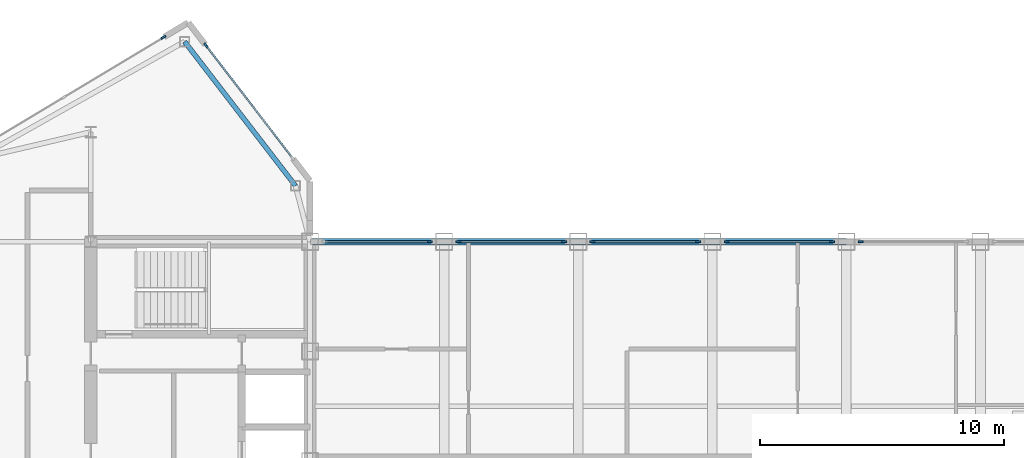
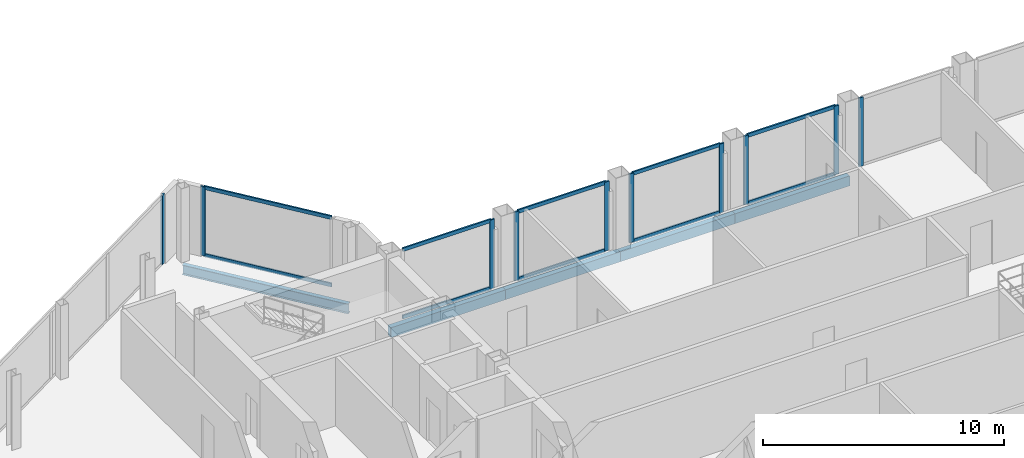
# One storey, part 12 of 28: 20 members, 5 beams, 7 elements without a shape of their own.
"""IFC4 building model written with IfcOpenShell, lengths in metres."""

import ifcopenshell
import ifcopenshell.guid

model = None  # the IFC model being written
_history = None  # IfcOwnerHistory: only IFC2X3 demands one
_inside = {}  # id of a spatial element -> (the spatial element, [elements in it])
_under = {}  # id of a project, library or spatial element -> (it, [spatial elements below it])
_declared = {}  # id of a project -> (the project, [libraries it declares])
_typed = {}  # id of a type object -> (the type object, [elements of that type])
_made_of = {}  # id of a material, layer set ... -> (it, [elements and type objects made of it])


def new_model(schema):
    """Start an empty IFC model of exactly this schema.

    Asked for "IFC4X3", IfcOpenShell would pick the latest addendum, in which some entities
    have other attributes; the version numbers below select the first issue.
    IFC2X3 requires an IfcOwnerHistory on every rooted entity: one is made here for all.
    """
    global model, _history
    if schema == "IFC4X3":
        model = ifcopenshell.file(schema_version=(4, 3, 0, 0))
    else:
        model = ifcopenshell.file(schema=schema)
    _inside.clear()
    _under.clear()
    _declared.clear()
    _typed.clear()
    _made_of.clear()
    _history = None
    if model.schema == "IFC2X3":
        org = make("IfcOrganization", Name="unknown")
        user = make(
            "IfcPersonAndOrganization",
            ThePerson=make("IfcPerson", FamilyName="unknown"),
            TheOrganization=org,
        )
        app = make(
            "IfcApplication",
            ApplicationDeveloper=org,
            Version="unknown",
            ApplicationFullName="unknown",
            ApplicationIdentifier="unknown",
        )
        _history = make(
            "IfcOwnerHistory",
            OwningUser=user,
            OwningApplication=app,
            ChangeAction="ADDED",
            CreationDate=0,
        )
    return model


def make(cls, **values):
    """One entity of the class cls with the attributes given. An attribute that is None is left unset."""
    return model.create_entity(
        cls, **{name: value for name, value in values.items() if value is not None}
    )


def rooted(cls, **values):
    """An entity with a GlobalId (a new one), such as an element, a storey or a relation."""
    return make(cls, GlobalId=ifcopenshell.guid.new(), OwnerHistory=_history, **values)


def si_unit(unit_type, name, prefix=None):
    """IfcSIUnit, for example si_unit("LENGTHUNIT", "METRE", prefix="MILLI")."""
    return make("IfcSIUnit", UnitType=unit_type, Prefix=prefix, Name=name)


def assignment(units):
    """IfcUnitAssignment: the units of a project."""
    return None if units is None else make("IfcUnitAssignment", Units=units)


def point(xyz):
    """IfcCartesianPoint."""
    return None if xyz is None else make("IfcCartesianPoint", Coordinates=xyz)


def direction(xyz):
    """IfcDirection."""
    return None if xyz is None else make("IfcDirection", DirectionRatios=xyz)


def frame(location, z_axis=None, x_axis=None):
    """IfcAxis2Placement3D, a coordinate frame: its origin and axes. An axis left out is left unset."""
    return make(
        "IfcAxis2Placement3D",
        Location=point(location),
        Axis=direction(z_axis),
        RefDirection=direction(x_axis),
    )


def frame_2d(location, x_axis=None):
    """IfcAxis2Placement2D, a coordinate frame in the plane: its origin and x axis."""
    return make(
        "IfcAxis2Placement2D", Location=point(location), RefDirection=direction(x_axis)
    )


def origin():
    """The frame at (0, 0, 0) with its axes left unset."""
    return frame((0.0, 0.0, 0.0))


def origin_2d():
    """The frame at (0, 0) in the plane with its x axis left unset."""
    return frame_2d((0.0, 0.0))


def place(relative_to, where):
    """IfcLocalPlacement: puts the frame where relative to a parent placement (None: the world)."""
    return make(
        "IfcLocalPlacement", PlacementRelTo=relative_to, RelativePlacement=where
    )


def context(
    kind, dimensions, precision=None, world=None, true_north=None, identifier=None
):
    """IfcGeometricRepresentationContext, for example the 3D "Model" context."""
    return make(
        "IfcGeometricRepresentationContext",
        ContextIdentifier=identifier,
        ContextType=kind,
        CoordinateSpaceDimension=dimensions,
        Precision=precision,
        WorldCoordinateSystem=world,
        TrueNorth=true_north,
    )


def subcontext(parent, identifier, kind, view, scale=None):
    """IfcGeometricRepresentationSubContext, for example "Body" below "Model"."""
    return make(
        "IfcGeometricRepresentationSubContext",
        ContextIdentifier=identifier,
        ContextType=kind,
        ParentContext=parent,
        TargetScale=scale,
        TargetView=view,
    )


def project(units=None, contexts=None):
    """IfcProject with its units and contexts."""
    return rooted(
        "IfcProject",
        Name="project",
        RepresentationContexts=contexts,
        UnitsInContext=assignment(units),
    )


def spatial(cls, under=None, at=None, **own):
    """A site, building, storey or space (cls), placed at a placement, below another one or the project."""
    s = rooted(cls, ObjectPlacement=at, **own)
    if under is not None:
        _under.setdefault(under.id(), (under, []))[1].append(s)
    return s


def profile(cls, at=None, kind="AREA", **sizes):
    """A parametric profile (cls). Its sizes go by their IFC names, for example OverallWidth=200.0."""
    return make(cls, ProfileType=kind, Position=at, **sizes)


def rectangle(**sizes):
    """IfcRectangleProfileDef."""
    return profile("IfcRectangleProfileDef", **sizes)


def hollow_rectangle(**sizes):
    """IfcRectangleHollowProfileDef."""
    return profile("IfcRectangleHollowProfileDef", **sizes)


def i_section(**sizes):
    """IfcIShapeProfileDef."""
    return profile("IfcIShapeProfileDef", **sizes)


def extrude(swept, where, along, depth):
    """IfcExtrudedAreaSolid: the profile swept, set in the frame where, extruded along a direction by depth."""
    return make(
        "IfcExtrudedAreaSolid",
        SweptArea=swept,
        Position=where,
        ExtrudedDirection=direction(along),
        Depth=depth,
    )


def shape(context_of_items, identifier, shape_type, items):
    """IfcShapeRepresentation: the items that make up one representation, for example the "Body"."""
    return make(
        "IfcShapeRepresentation",
        ContextOfItems=context_of_items,
        RepresentationIdentifier=identifier,
        RepresentationType=shape_type,
        Items=items,
    )


def source(mapping_origin, context_of_items, identifier, shape_type, items):
    """IfcRepresentationMap: a shape defined once, which mapped items show again and again."""
    return make(
        "IfcRepresentationMap",
        MappingOrigin=mapping_origin,
        MappedRepresentation=shape(context_of_items, identifier, shape_type, items),
    )


def transform(
    local_origin,
    x_axis=None,
    y_axis=None,
    z_axis=None,
    scale=None,
    scale2=None,
    scale3=None,
    uniform=True,
):
    """IfcCartesianTransformationOperator3D, or its non-uniform kind. x_axis, y_axis, z_axis: its Axis1, 2, 3."""
    if uniform:
        return make(
            "IfcCartesianTransformationOperator3D",
            Axis1=direction(x_axis),
            Axis2=direction(y_axis),
            LocalOrigin=point(local_origin),
            Scale=scale,
            Axis3=direction(z_axis),
        )
    return make(
        "IfcCartesianTransformationOperator3DnonUniform",
        Axis1=direction(x_axis),
        Axis2=direction(y_axis),
        LocalOrigin=point(local_origin),
        Scale=scale,
        Axis3=direction(z_axis),
        Scale2=scale2,
        Scale3=scale3,
    )


def mapped(mapping_source, mapping_target):
    """IfcMappedItem: shows the shape of a source again, moved by a transform."""
    return make(
        "IfcMappedItem", MappingSource=mapping_source, MappingTarget=mapping_target
    )


def material(Name=None, Category=None):
    """IfcMaterial."""
    return make("IfcMaterial", Name=Name, Category=Category)


def layer(
    of_material, thickness, ventilated=None, Name=None, Category=None, Priority=None
):
    """IfcMaterialLayer: one layer of a wall or slab, of a material (None: an air gap)."""
    return make(
        "IfcMaterialLayer",
        Material=of_material,
        LayerThickness=thickness,
        IsVentilated=ventilated,
        Name=Name,
        Category=Category,
        Priority=Priority,
    )


def layer_set(layers, Name=None):
    """IfcMaterialLayerSet."""
    return make("IfcMaterialLayerSet", MaterialLayers=layers, LayerSetName=Name)


def material_profile(
    of_material, cross_section, Name=None, Category=None, Priority=None
):
    """IfcMaterialProfile: a cross section and its material."""
    return make(
        "IfcMaterialProfile",
        Name=Name,
        Material=of_material,
        Profile=cross_section,
        Priority=Priority,
        Category=Category,
    )


def profile_set(profiles, Name=None, composite=None):
    """IfcMaterialProfileSet."""
    return make(
        "IfcMaterialProfileSet",
        Name=Name,
        MaterialProfiles=profiles,
        CompositeProfile=composite,
    )


def made_of(thing, what):
    """Note that an element or type object is made of a material, layer set ...; save() writes the relation."""
    if what is not None:
        _made_of.setdefault(what.id(), (what, []))[1].append(thing)
    return thing


def type_object(cls, material=None, **own):
    """A type object (cls), such as IfcWallType, which elements share."""
    return made_of(rooted(cls, **own), material)


def type_shapes(of_type, sources):
    """Give a type object the sources (RepresentationMaps) that its elements show as mapped items."""
    of_type.RepresentationMaps = sources


def element(
    cls,
    number,
    at=None,
    inside=None,
    cuts=None,
    type_object=None,
    material=None,
    context=None,
    identifier="Body",
    shape_type=None,
    held_by="IfcProductDefinitionShape",
    body=None,
    shapes=None,
    **own,
):
    """One element of the class cls, such as IfcWall. Its Tag is "e" and its number.

    at: its placement. inside: the storey or other place that contains it. cuts: it is an
    opening in that element (IfcRelVoidsElement). A single representation is given by context,
    identifier, shape_type and body (its items); several are given by shapes. held_by: the class
    of the entity that holds the representations. save() writes the other relations.
    """
    e = rooted(cls, Tag="e%d" % number, ObjectPlacement=at, **own)
    if body is not None:
        shapes = [shape(context, identifier, shape_type, body)]
    if shapes is not None:
        e.Representation = make(held_by, Representations=shapes)
    if inside is not None:
        _inside.setdefault(inside.id(), (inside, []))[1].append(e)
    if cuts is not None:
        rooted(
            "IfcRelVoidsElement", RelatingBuildingElement=cuts, RelatedOpeningElement=e
        )
    if type_object is not None:
        _typed.setdefault(type_object.id(), (type_object, []))[1].append(e)
    return made_of(e, material)


def aggregate(whole, parts):
    """IfcRelAggregates: a whole, such as a stair, and the parts it consists of."""
    return rooted("IfcRelAggregates", RelatingObject=whole, RelatedObjects=parts)


def save(model, path):
    """Write the relations noted so far, then the file.

    IfcRelAggregates (storeys below a building ...), IfcRelContainedInSpatialStructure (elements
    in a storey), IfcRelDefinesByType, IfcRelAssociatesMaterial and IfcRelDeclares: one each for
    every whole, place, type object, material and project.
    """
    for whole, parts in _under.values():
        aggregate(whole, parts)
    for where, things in _inside.values():
        rooted(
            "IfcRelContainedInSpatialStructure",
            RelatedElements=things,
            RelatingStructure=where,
        )
    for kind, things in _typed.values():
        rooted("IfcRelDefinesByType", RelatedObjects=things, RelatingType=kind)
    for what, things in _made_of.values():
        rooted("IfcRelAssociatesMaterial", RelatedObjects=things, RelatingMaterial=what)
    for by, libraries in _declared.values():
        rooted("IfcRelDeclares", RelatingContext=by, RelatedDefinitions=libraries)
    model.write(path)


model = new_model("IFC4")

# Units and contexts
model_context = context("Model", 3, precision=1e-05, world=origin(), true_north=direction((0.0, 1.0)))
body_context = subcontext(model_context, "Body", "Model", "MODEL_VIEW")
ifc_project = project(units=[si_unit("LENGTHUNIT", "METRE"), si_unit("AREAUNIT", "SQUARE_METRE"), si_unit("VOLUMEUNIT", "CUBIC_METRE"), si_unit("PLANEANGLEUNIT", "RADIAN"), si_unit("MASSUNIT", "GRAM", prefix="KILO")], contexts=[model_context])

# Site, building, storey
site_placement = place(None, origin())
site = spatial("IfcSite", under=ifc_project, at=site_placement, CompositionType="ELEMENT")
building_placement = place(site_placement, origin())
building = spatial("IfcBuilding", under=site, at=building_placement, Name="Seokmaru Belvedere", CompositionType="ELEMENT")
storey_placement = place(building_placement, frame((0.0, 0.0, 265.64990234375)))
storey = spatial("IfcBuildingStorey", under=building, at=storey_placement, Name="L70", CompositionType="ELEMENT", Elevation=265.64990234375)

# Beams
ifc_material_1 = material(Name="Steel SM355 (355 MPa)", Category="steel")
ifc_material_profile_1 = material_profile(ifc_material_1, i_section(OverallWidth=0.199951171875, OverallDepth=0.5, WebThickness=0.010009765625, FlangeThickness=0.01611328125, at=origin_2d()), Name="H-500x200x10x16")
ifc_profile_set_1 = profile_set([ifc_material_profile_1], Name="Steel SM355 (355 MPa)")
beam_type_1 = type_object("IfcBeamType", Name="Perimeter Spandrel Beam H-500", PredefinedType="SPANDREL", material=ifc_profile_set_1)
shared_shape_1 = source(origin(), body_context, "Body", "SweptSolid", [
    extrude(i_section(OverallWidth=0.199951171875, OverallDepth=0.5, WebThickness=0.010009765625, FlangeThickness=0.01611328125, at=origin_2d()), origin(), (0.0, 0.0, 1.0), 7.4619140625),
])
type_shapes(beam_type_1, [shared_shape_1])
beam_placement = place(storey_placement, frame((-32.649658203125, 21.71044921875, -0.469970703125), z_axis=(0.609702854945, -0.792630070507, 0.0), x_axis=(0.792630070507, 0.609702854945, 0.0)))
element("IfcBeam", 1, at=beam_placement, inside=storey, type_object=beam_type_1, Name="L70 W Shoulder Chamfer Spandrel N", PredefinedType="SPANDREL", context=body_context, shape_type="MappedRepresentation", body=[
    mapped(shared_shape_1, transform((0.0, 0.0, 0.0), scale=1.0)),
])
ifc_material_profile_2 = material_profile(ifc_material_1, hollow_rectangle(XDim=0.25, YDim=0.5, WallThickness=0.013916015625, at=origin_2d()), Name="RHS-500x250x14")
ifc_profile_set_2 = profile_set([ifc_material_profile_2], Name="Steel SM355 (355 MPa)")
beam_type_2 = type_object("IfcBeamType", Name="Bridge Edge Spandrel RHS-500", PredefinedType="SPANDREL", material=ifc_profile_set_2)
shared_shape_2 = source(origin(), body_context, "Body", "SweptSolid", [
    extrude(hollow_rectangle(XDim=0.25, YDim=0.5, WallThickness=0.013916015625, at=origin_2d()), origin(), (0.0, 0.0, 1.0), 5.5),
])
type_shapes(beam_type_2, [shared_shape_2])
for number, where, z_axis, x_axis, name in (
    (2, (-27.5, 13.5, -0.469970703125), (1.0, 0.0, 0.0), (0.0, 1.0, 0.0), "L70 Sky-Gate Bridge Edge Girder N-01"),
    (3, (-22.0, 13.5, -0.469970703125), (1.0, 0.0, 0.0), (0.0, 1.0, 0.0), "L70 Sky-Gate Bridge Edge Girder N-02"),
    (4, (-16.5, 13.5, -0.469970703125), (1.0, 0.0, 0.0), (0.0, 1.0, 0.0), "L70 Sky-Gate Bridge Edge Girder N-03"),
    (5, (-11.0, 13.5, -0.469970703125), (1.0, 0.0, 0.0), (0.0, 1.0, 0.0), "L70 Sky-Gate Bridge Edge Girder N-04"),
):
    element("IfcBeam", number, at=place(storey_placement, frame(where, z_axis=z_axis, x_axis=x_axis)), inside=storey, type_object=beam_type_2, Name=name, PredefinedType="SPANDREL", context=body_context, shape_type="MappedRepresentation", body=[
        mapped(shared_shape_2, transform((0.0, 0.0, 0.0), scale=1.0)),
    ])

# Curtain wall, members
ifc_material_2 = material(Name="Bronze Triple Insulating Glass", Category="glass")
ifc_layer = layer(ifc_material_2, 0.219970703125)
ifc_layer_set = layer_set([ifc_layer], Name="Bronze Triple Insulating Glass")
curtain_wall_type = type_object("IfcCurtainWallType", Name="Sky-Gate Bridge Panorama Curtain Wall System CW-6", PredefinedType="NOTDEFINED", material=ifc_layer_set)
curtain_wall_1_placement = place(storey_placement, origin())
curtain_wall_1 = element("IfcCurtainWall", 6, at=curtain_wall_1_placement, inside=storey, type_object=curtain_wall_type, Name="L70 Curtain Wall WF2", PredefinedType="NOTDEFINED")
ifc_material_3 = material(Name="Anodised Bronze Aluminium", Category="aluminium")
ifc_material_profile_3 = material_profile(ifc_material_3, rectangle(XDim=0.074951171875, YDim=0.179931640625, at=origin_2d()), Name="CW-T-75x180")
ifc_profile_set_3 = profile_set([ifc_material_profile_3], Name="Anodised Bronze Aluminium")
member_type_1 = type_object("IfcMemberType", Name="Bronze Unitised Transom 75x180", PredefinedType="USERDEFINED", material=ifc_profile_set_3)
shared_shape_3 = source(origin(), body_context, "Body", "SweptSolid", [
    extrude(rectangle(XDim=0.074951171875, YDim=0.179931640625, at=origin_2d()), origin(), (0.0, 0.0, 1.0), 5.74072265625),
])
member_1_placement = place(storey_placement, frame((-28.25, 16.974853515625, 0.03759765625), z_axis=(-0.609686097287, 0.792642960465, 0.0), x_axis=(-0.792642960465, -0.609686097287, 0.0)))
member_1 = element("IfcMember", 7, at=member_1_placement, type_object=member_type_1, Name="CW:L70:WF2 Continuous Transom 1", ObjectType="TRANSOM", PredefinedType="USERDEFINED", context=body_context, shape_type="MappedRepresentation", body=[
    mapped(shared_shape_3, transform((0.0, 0.0, 0.0), scale=1.0)),
])
member_2_placement = place(storey_placement, frame((-28.25, 16.974853515625, 3.45263671875), z_axis=(-0.609686097287, 0.792642960465, 0.0), x_axis=(-0.792642960465, -0.609686097287, 0.0)))
member_2 = element("IfcMember", 8, at=member_2_placement, type_object=member_type_1, Name="CW:L70:WF2 Continuous Transom 2", ObjectType="TRANSOM", PredefinedType="USERDEFINED", context=body_context, shape_type="MappedRepresentation", body=[
    mapped(shared_shape_3, transform((0.0, 0.0, 0.0), scale=1.0)),
])

curtain_wall_2_placement = place(storey_placement, origin())
curtain_wall_2 = element("IfcCurtainWall", 9, at=curtain_wall_2_placement, inside=storey, type_object=curtain_wall_type, Name="L70 Curtain Wall BR_N01", PredefinedType="NOTDEFINED")
shared_shape_4 = source(origin(), body_context, "Body", "SweptSolid", [
    extrude(rectangle(XDim=0.074951171875, YDim=0.179931640625, at=origin_2d()), origin(), (0.0, 0.0, 1.0), 4.240234375),
])
type_shapes(member_type_1, [shared_shape_3, shared_shape_4])
member_3_placement = place(storey_placement, frame((-22.6298828125, 13.5, 0.03759765625), z_axis=(-1.0, 0.0, 0.0), x_axis=(0.0, -1.0, 0.0)))
member_3 = element("IfcMember", 10, at=member_3_placement, type_object=member_type_1, Name="CW:L70:BR_N01 Continuous Transom 1", ObjectType="TRANSOM", PredefinedType="USERDEFINED", context=body_context, shape_type="MappedRepresentation", body=[
    mapped(shared_shape_4, transform((0.0, 0.0, 0.0), scale=1.0)),
])
member_4_placement = place(storey_placement, frame((-22.6298828125, 13.5, 3.45263671875), z_axis=(-1.0, 0.0, 0.0), x_axis=(0.0, -1.0, 0.0)))
member_4 = element("IfcMember", 11, at=member_4_placement, type_object=member_type_1, Name="CW:L70:BR_N01 Continuous Transom 2", ObjectType="TRANSOM", PredefinedType="USERDEFINED", context=body_context, shape_type="MappedRepresentation", body=[
    mapped(shared_shape_4, transform((0.0, 0.0, 0.0), scale=1.0)),
])

curtain_wall_3_placement = place(storey_placement, origin())
curtain_wall_3 = element("IfcCurtainWall", 12, at=curtain_wall_3_placement, inside=storey, type_object=curtain_wall_type, Name="L70 Curtain Wall BR_N02", PredefinedType="NOTDEFINED")
member_5_placement = place(storey_placement, frame((-17.1298828125, 13.5, 0.03759765625), z_axis=(-1.0, 0.0, 0.0), x_axis=(0.0, -1.0, 0.0)))
member_5 = element("IfcMember", 13, at=member_5_placement, type_object=member_type_1, Name="CW:L70:BR_N02 Continuous Transom 1", ObjectType="TRANSOM", PredefinedType="USERDEFINED", context=body_context, shape_type="MappedRepresentation", body=[
    mapped(shared_shape_4, transform((0.0, 0.0, 0.0), scale=1.0)),
])
member_6_placement = place(storey_placement, frame((-17.1298828125, 13.5, 3.45263671875), z_axis=(-1.0, 0.0, 0.0), x_axis=(0.0, -1.0, 0.0)))
member_6 = element("IfcMember", 14, at=member_6_placement, type_object=member_type_1, Name="CW:L70:BR_N02 Continuous Transom 2", ObjectType="TRANSOM", PredefinedType="USERDEFINED", context=body_context, shape_type="MappedRepresentation", body=[
    mapped(shared_shape_4, transform((0.0, 0.0, 0.0), scale=1.0)),
])

curtain_wall_4_placement = place(storey_placement, origin())
curtain_wall_4 = element("IfcCurtainWall", 15, at=curtain_wall_4_placement, inside=storey, type_object=curtain_wall_type, Name="L70 Curtain Wall BR_N03", PredefinedType="NOTDEFINED")
member_7_placement = place(storey_placement, frame((-11.6298828125, 13.5, 0.03759765625), z_axis=(-1.0, 0.0, 0.0), x_axis=(0.0, -1.0, 0.0)))
member_7 = element("IfcMember", 16, at=member_7_placement, type_object=member_type_1, Name="CW:L70:BR_N03 Continuous Transom 1", ObjectType="TRANSOM", PredefinedType="USERDEFINED", context=body_context, shape_type="MappedRepresentation", body=[
    mapped(shared_shape_4, transform((0.0, 0.0, 0.0), scale=1.0)),
])
member_8_placement = place(storey_placement, frame((-11.6298828125, 13.5, 3.45263671875), z_axis=(-1.0, 0.0, 0.0), x_axis=(0.0, -1.0, 0.0)))
member_8 = element("IfcMember", 17, at=member_8_placement, type_object=member_type_1, Name="CW:L70:BR_N03 Continuous Transom 2", ObjectType="TRANSOM", PredefinedType="USERDEFINED", context=body_context, shape_type="MappedRepresentation", body=[
    mapped(shared_shape_4, transform((0.0, 0.0, 0.0), scale=1.0)),
])

curtain_wall_5_placement = place(storey_placement, origin())
curtain_wall_5 = element("IfcCurtainWall", 18, at=curtain_wall_5_placement, inside=storey, type_object=curtain_wall_type, Name="L70 Curtain Wall BR_N04", PredefinedType="NOTDEFINED")
member_9_placement = place(storey_placement, frame((-6.1298828125, 13.5, 0.03759765625), z_axis=(-1.0, 0.0, 0.0), x_axis=(0.0, -1.0, 0.0)))
member_9 = element("IfcMember", 19, at=member_9_placement, type_object=member_type_1, Name="CW:L70:BR_N04 Continuous Transom 1", ObjectType="TRANSOM", PredefinedType="USERDEFINED", context=body_context, shape_type="MappedRepresentation", body=[
    mapped(shared_shape_4, transform((0.0, 0.0, 0.0), scale=1.0)),
])
member_10_placement = place(storey_placement, frame((-6.1298828125, 13.5, 3.45263671875), z_axis=(-1.0, 0.0, 0.0), x_axis=(0.0, -1.0, 0.0)))
member_10 = element("IfcMember", 20, at=member_10_placement, type_object=member_type_1, Name="CW:L70:BR_N04 Continuous Transom 2", ObjectType="TRANSOM", PredefinedType="USERDEFINED", context=body_context, shape_type="MappedRepresentation", body=[
    mapped(shared_shape_4, transform((0.0, 0.0, 0.0), scale=1.0)),
])

# Member
ifc_material_profile_4 = material_profile(ifc_material_3, rectangle(XDim=0.080078125, YDim=0.219970703125, at=origin_2d()), Name="CW-M-80x220")
ifc_profile_set_4 = profile_set([ifc_material_profile_4], Name="Anodised Bronze Aluminium")
member_type_2 = type_object("IfcMemberType", Name="Bronze Unitised Mullion 80x220", PredefinedType="MULLION", material=ifc_profile_set_4)
shared_shape_5 = source(origin(), body_context, "Body", "SweptSolid", [
    extrude(rectangle(XDim=0.080078125, YDim=0.219970703125, at=origin_2d()), origin(), (0.0, 0.0, 1.0), 3.489990234375),
])
type_shapes(member_type_2, [shared_shape_5])
member_11_placement = place(storey_placement, frame((-31.7744140625, 21.556884765625, 0.0), z_axis=(0.0, 0.0, 1.0), x_axis=(-0.792631353244, -0.609701187349, 0.0)))
member_11 = element("IfcMember", 21, at=member_11_placement, type_object=member_type_2, Name="CW:L70:WF2 Mullion 2", PredefinedType="MULLION", context=body_context, shape_type="MappedRepresentation", body=[
    mapped(shared_shape_5, transform((0.0, 0.0, 0.0), scale=1.0)),
])

aggregate(curtain_wall_1, [member_11, member_1, member_2])

# Curtain wall, member
curtain_wall_6_placement = place(storey_placement, origin())
curtain_wall_6 = element("IfcCurtainWall", 22, at=curtain_wall_6_placement, inside=storey, type_object=curtain_wall_type, Name="L70 Curtain Wall WF3", PredefinedType="NOTDEFINED")
member_12_placement = place(storey_placement, frame((-33.5205078125, 21.8876953125, 0.0), z_axis=(0.0, 0.0, 1.0), x_axis=(0.514494909364, -0.85749343335, 0.0)))
member_12 = element("IfcMember", 23, at=member_12_placement, type_object=member_type_2, Name="CW:L70:WF3 Mullion 1", PredefinedType="MULLION", context=body_context, shape_type="MappedRepresentation", body=[
    mapped(shared_shape_5, transform((0.0, 0.0, 0.0), scale=1.0)),
])
aggregate(curtain_wall_6, [member_12])

# Member
member_13_placement = place(storey_placement, frame((-22.590087890625, 13.5, 0.0), z_axis=(0.0, 0.0, 1.0), x_axis=(0.0, -1.0, 0.0)))
member_13 = element("IfcMember", 24, at=member_13_placement, type_object=member_type_2, Name="CW:L70:BR_N01 Mullion 1", PredefinedType="MULLION", context=body_context, shape_type="MappedRepresentation", body=[
    mapped(shared_shape_5, transform((0.0, 0.0, 0.0), scale=1.0)),
])

aggregate(curtain_wall_2, [member_13, member_3, member_4])

member_14_placement = place(storey_placement, frame((-17.090087890625, 13.5, 0.0), z_axis=(0.0, 0.0, 1.0), x_axis=(0.0, -1.0, 0.0)))
member_14 = element("IfcMember", 25, at=member_14_placement, type_object=member_type_2, Name="CW:L70:BR_N02 Mullion 1", PredefinedType="MULLION", context=body_context, shape_type="MappedRepresentation", body=[
    mapped(shared_shape_5, transform((0.0, 0.0, 0.0), scale=1.0)),
])

member_15_placement = place(storey_placement, frame((-21.409912109375, 13.5, 0.0), z_axis=(0.0, 0.0, 1.0), x_axis=(0.0, -1.0, 0.0)))
member_15 = element("IfcMember", 26, at=member_15_placement, type_object=member_type_2, Name="CW:L70:BR_N02 Mullion 2", PredefinedType="MULLION", context=body_context, shape_type="MappedRepresentation", body=[
    mapped(shared_shape_5, transform((0.0, 0.0, 0.0), scale=1.0)),
])

aggregate(curtain_wall_3, [member_14, member_15, member_5, member_6])

member_16_placement = place(storey_placement, frame((-11.590087890625, 13.5, 0.0), z_axis=(0.0, 0.0, 1.0), x_axis=(0.0, -1.0, 0.0)))
member_16 = element("IfcMember", 27, at=member_16_placement, type_object=member_type_2, Name="CW:L70:BR_N03 Mullion 1", PredefinedType="MULLION", context=body_context, shape_type="MappedRepresentation", body=[
    mapped(shared_shape_5, transform((0.0, 0.0, 0.0), scale=1.0)),
])

member_17_placement = place(storey_placement, frame((-15.909912109375, 13.5, 0.0), z_axis=(0.0, 0.0, 1.0), x_axis=(0.0, -1.0, 0.0)))
member_17 = element("IfcMember", 28, at=member_17_placement, type_object=member_type_2, Name="CW:L70:BR_N03 Mullion 2", PredefinedType="MULLION", context=body_context, shape_type="MappedRepresentation", body=[
    mapped(shared_shape_5, transform((0.0, 0.0, 0.0), scale=1.0)),
])

aggregate(curtain_wall_4, [member_16, member_17, member_7, member_8])

member_18_placement = place(storey_placement, frame((-6.090087890625, 13.5, 0.0), z_axis=(0.0, 0.0, 1.0), x_axis=(0.0, -1.0, 0.0)))
member_18 = element("IfcMember", 29, at=member_18_placement, type_object=member_type_2, Name="CW:L70:BR_N04 Mullion 1", PredefinedType="MULLION", context=body_context, shape_type="MappedRepresentation", body=[
    mapped(shared_shape_5, transform((0.0, 0.0, 0.0), scale=1.0)),
])

member_19_placement = place(storey_placement, frame((-10.409912109375, 13.5, 0.0), z_axis=(0.0, 0.0, 1.0), x_axis=(0.0, -1.0, 0.0)))
member_19 = element("IfcMember", 30, at=member_19_placement, type_object=member_type_2, Name="CW:L70:BR_N04 Mullion 2", PredefinedType="MULLION", context=body_context, shape_type="MappedRepresentation", body=[
    mapped(shared_shape_5, transform((0.0, 0.0, 0.0), scale=1.0)),
])

aggregate(curtain_wall_5, [member_18, member_19, member_9, member_10])

# Curtain wall, member
curtain_wall_7_placement = place(storey_placement, origin())
curtain_wall_7 = element("IfcCurtainWall", 31, at=curtain_wall_7_placement, inside=storey, type_object=curtain_wall_type, Name="L70 Curtain Wall BR_N05", PredefinedType="NOTDEFINED")
member_20_placement = place(storey_placement, frame((-4.909912109375, 13.5, 0.0), z_axis=(0.0, 0.0, 1.0), x_axis=(0.0, -1.0, 0.0)))
member_20 = element("IfcMember", 32, at=member_20_placement, type_object=member_type_2, Name="CW:L70:BR_N05 Mullion 2", PredefinedType="MULLION", context=body_context, shape_type="MappedRepresentation", body=[
    mapped(shared_shape_5, transform((0.0, 0.0, 0.0), scale=1.0)),
])
aggregate(curtain_wall_7, [member_20])

save(model, "model.ifc")
